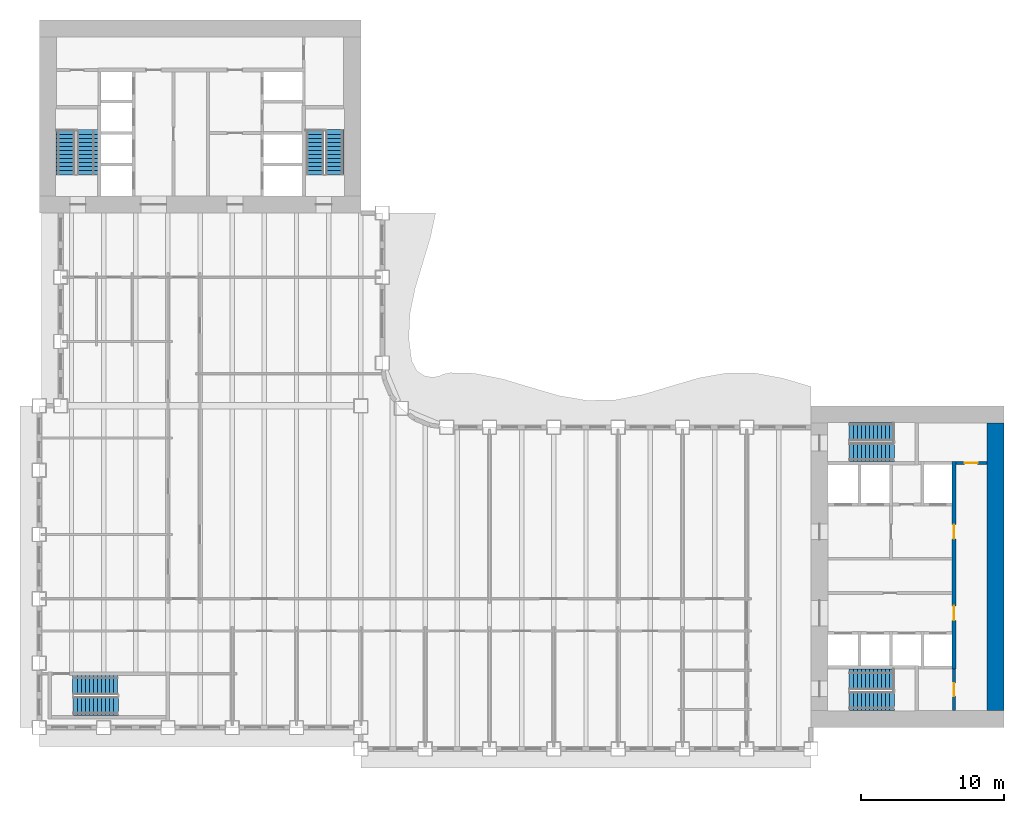
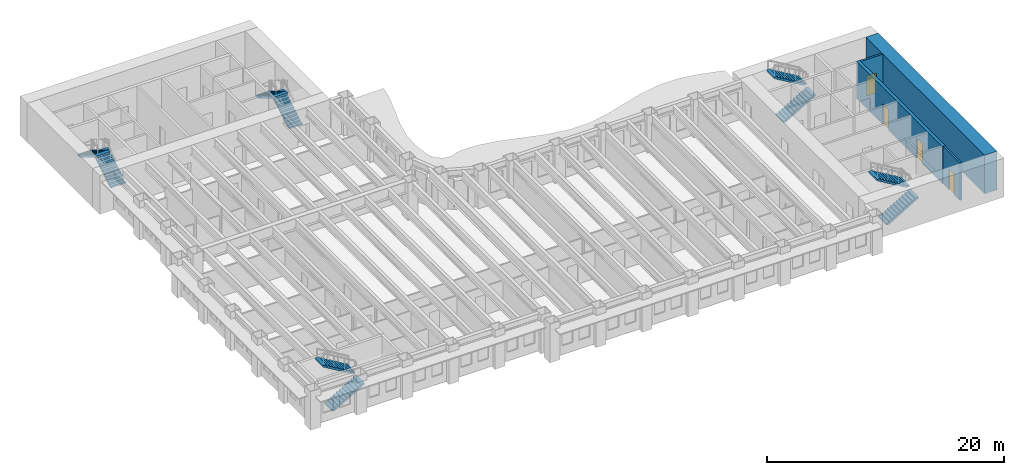
# One storey, part 10 of 16: 10 stair flights, 4 doors, 4 walls, 4 openings, 5 elements without a shape of their own.
"""IFC4 building model written with IfcOpenShell, lengths in metres."""

from ifc_helpers import new_model, si_unit, direction, frame, frame_2d, origin, place, context, subcontext, project, spatial, polyline, rectangle, outline, extrude, material, layer, layer_set, type_object, element, fill, aggregate, save


model = new_model("IFC4")

# Units and contexts
model_context = context("Model", 3, precision=1e-05, world=origin(), true_north=direction((0.0, 1.0)))
body_context = subcontext(model_context, "Body", "Model", "MODEL_VIEW")
ifc_project = project(units=[si_unit("LENGTHUNIT", "METRE"), si_unit("AREAUNIT", "SQUARE_METRE"), si_unit("VOLUMEUNIT", "CUBIC_METRE"), si_unit("PLANEANGLEUNIT", "RADIAN"), si_unit("MASSUNIT", "GRAM", prefix="KILO")], contexts=[model_context])

# Site, building, storey
site_placement = place(None, origin())
site = spatial("IfcSite", under=ifc_project, at=site_placement, CompositionType="ELEMENT")
building_placement = place(site_placement, origin())
building = spatial("IfcBuilding", under=site, at=building_placement, Name="Sennacour Bend Tower", CompositionType="ELEMENT")
storey_placement = place(building_placement, frame((0.0, 0.0, 111.0)))
storey = spatial("IfcBuildingStorey", under=building, at=storey_placement, Name="L25", CompositionType="ELEMENT", Elevation=111.0)

# Wall
ifc_material_1 = material(Name="Concrete C80/95", Category="concrete")
ifc_layer_1 = layer(ifc_material_1, 1.199951171875, Name="Concrete C80/95", Category="concrete")
ifc_layer_set_1 = layer_set([ifc_layer_1], Name="Concrete C80/95")
wall_type_1 = type_object("IfcWallType", Name="Core wall 1200 C80/95", PredefinedType="SHEAR", material=ifc_layer_set_1)
wall_1_placement = place(storey_placement, frame((66.89990234375, 1.199951171875, -0.14990234375), z_axis=(0.0, 0.0, 1.0), x_axis=(0.0, 1.0, 0.0)))
element("IfcWall", 1, at=wall_1_placement, inside=storey, type_object=wall_type_1, Name="Core A wall L25 E", PredefinedType="SHEAR", context=body_context, shape_type="SweptSolid", body=[
    extrude(rectangle(XDim=20.10009765625, YDim=1.199951171875, at=frame_2d((10.050048828125, 0.0))), origin(), (0.0, 0.0, 1.0), 4.0),
])

# Wall, opening, door
ifc_material_2 = material(Name="Fire-rated plasterboard partition on steel studs", Category="steel")
ifc_layer_2 = layer(ifc_material_2, 0.199951171875, Name="Fire-rated plasterboard partition on steel studs", Category="steel")
ifc_layer_set_2 = layer_set([ifc_layer_2], Name="Fire-rated plasterboard partition on steel studs")
wall_type_2 = type_object("IfcWallType", Name="Rated partition 200", PredefinedType="PARTITIONING", material=ifc_layer_set_2)
wall_2_placement = place(storey_placement, frame((64.0, 1.199951171875, 0.0), z_axis=(0.0, 0.0, 1.0), x_axis=(0.0, 1.0, 0.0)))
wall_2 = element("IfcWall", 2, at=wall_2_placement, inside=storey, type_object=wall_type_2, Name="P-L25-W044", PredefinedType="PARTITIONING", context=body_context, shape_type="SweptSolid", body=[
    extrude(rectangle(XDim=2.900146484375, YDim=0.199951171875, at=frame_2d((1.4501953125, 0.0))), origin(), (0.0, 0.0, 1.0), 3.85009765625),
])
opening_1_placement = place(wall_2_placement, frame((1.0, 0.0, 0.0)))
opening_1 = element("IfcOpeningElement", 3, at=opening_1_placement, cuts=wall_2, Name="Opening SV", PredefinedType="OPENING", context=body_context, shape_type="SweptSolid", body=[
    extrude(rectangle(XDim=0.89990234375, YDim=2.10009765625, at=frame_2d((0.449951171875, 1.050048828125))), frame((0.0, 0.10986328125, 0.0), z_axis=(0.0, -1.0, 0.0), x_axis=(1.0, 0.0, 0.0)), (0.0, 0.0, 1.0), 0.219970703125),
])
ifc_material_3 = material(Name="Painted steel", Category="steel")
door_type_1 = type_object("IfcDoorType", Name="DR-SERVICE-900", OperationType="NOTDEFINED", PredefinedType="DOOR", material=ifc_material_3)
door_1_placement = place(opening_1_placement, origin())
door_1 = element("IfcDoor", 4, at=door_1_placement, inside=storey, type_object=door_type_1, Name="Door", OperationType="SINGLE_SWING_LEFT", OverallHeight=2.10009765625, OverallWidth=0.89990234375, PredefinedType="DOOR", context=body_context, shape_type="SweptSolid", body=[
    extrude(rectangle(XDim=0.89990234375, YDim=2.10009765625, at=frame_2d((0.449951171875, 1.050048828125))), frame((0.0, 0.02490234375, 0.0), z_axis=(0.0, -1.0, 0.0), x_axis=(1.0, 0.0, 0.0)), (0.0, 0.0, 1.0), 0.050048828125),
])
fill(opening_1, door_1)

wall_3_placement = place(storey_placement, frame((64.14990234375, 18.5, 0.0), z_axis=(0.0, 0.0, 1.0), x_axis=(1.0, 0.0, 0.0)))
wall_3 = element("IfcWall", 5, at=wall_3_placement, inside=storey, type_object=wall_type_2, Name="P-L25-W067", PredefinedType="PARTITIONING", context=body_context, shape_type="SweptSolid", body=[
    extrude(rectangle(XDim=2.150146484375, YDim=0.199951171875, at=frame_2d((1.0751953125, 0.0))), origin(), (0.0, 0.0, 1.0), 3.85009765625),
])
opening_2_placement = place(wall_3_placement, frame((0.60009765625, 0.0, 0.0)))
opening_2 = element("IfcOpeningElement", 6, at=opening_2_placement, cuts=wall_3, Name="Opening SV", PredefinedType="OPENING", context=body_context, shape_type="SweptSolid", body=[
    extrude(rectangle(XDim=0.89990234375, YDim=2.10009765625, at=frame_2d((0.449951171875, 1.050048828125))), frame((0.0, 0.10986328125, 0.0), z_axis=(0.0, -1.0, 0.0), x_axis=(1.0, 0.0, 0.0)), (0.0, 0.0, 1.0), 0.219970703125),
])
door_2_placement = place(opening_2_placement, origin())
door_2 = element("IfcDoor", 7, at=door_2_placement, inside=storey, type_object=door_type_1, Name="Door", OperationType="SINGLE_SWING_LEFT", OverallHeight=2.10009765625, OverallWidth=0.89990234375, PredefinedType="DOOR", context=body_context, shape_type="SweptSolid", body=[
    extrude(rectangle(XDim=0.89990234375, YDim=2.10009765625, at=frame_2d((0.449951171875, 1.050048828125))), frame((0.0, 0.02490234375, 0.0), z_axis=(0.0, -1.0, 0.0), x_axis=(1.0, 0.0, 0.0)), (0.0, 0.0, 1.0), 0.050048828125),
])
fill(opening_2, door_2)

# Wall, openings, doors
ifc_material_4 = material(Name="Concrete C60/75", Category="concrete")
ifc_layer_3 = layer(ifc_material_4, 0.300048828125, Name="Concrete C60/75", Category="concrete")
ifc_layer_set_3 = layer_set([ifc_layer_3], Name="Concrete C60/75")
wall_type_3 = type_object("IfcWallType", Name="Spine wall 300", PredefinedType="SHEAR", material=ifc_layer_set_3)
wall_4_placement = place(storey_placement, frame((64.0, 4.10009765625, 0.0), z_axis=(0.0, 0.0, 1.0), x_axis=(0.0, 1.0, 0.0)))
wall_4 = element("IfcWall", 8, at=wall_4_placement, inside=storey, type_object=wall_type_3, Name="P-L25-W045", PredefinedType="SHEAR", context=body_context, shape_type="SweptSolid", body=[
    extrude(rectangle(XDim=14.5, YDim=0.300048828125, at=frame_2d((7.25, 0.0))), origin(), (0.0, 0.0, 1.0), 3.85009765625),
])
opening_3_placement = place(wall_4_placement, frame((3.39990234375, 0.0, 0.0)))
opening_3 = element("IfcOpeningElement", 9, at=opening_3_placement, cuts=wall_4, Name="Opening CD2", PredefinedType="OPENING", context=body_context, shape_type="SweptSolid", body=[
    extrude(rectangle(XDim=1.0, YDim=2.10009765625, at=frame_2d((0.5, 1.050048828125))), frame((0.0, 0.16015625, 0.0), z_axis=(0.0, -1.0, 0.0), x_axis=(1.0, 0.0, 0.0)), (0.0, 0.0, 1.0), 0.320068359375),
])
opening_4_placement = place(wall_4_placement, frame((9.099853515625, 0.0, 0.0)))
opening_4 = element("IfcOpeningElement", 10, at=opening_4_placement, cuts=wall_4, Name="Opening CD2", PredefinedType="OPENING", context=body_context, shape_type="SweptSolid", body=[
    extrude(rectangle(XDim=1.0, YDim=2.10009765625, at=frame_2d((0.5, 1.050048828125))), frame((0.0, 0.16015625, 0.0), z_axis=(0.0, -1.0, 0.0), x_axis=(1.0, 0.0, 0.0)), (0.0, 0.0, 1.0), 0.320068359375),
])
door_type_2 = type_object("IfcDoorType", Name="DR-LOBBY-1000", OperationType="NOTDEFINED", PredefinedType="DOOR", material=ifc_material_3)
door_3_placement = place(opening_3_placement, origin())
door_3 = element("IfcDoor", 11, at=door_3_placement, inside=storey, type_object=door_type_2, Name="Door", OperationType="SINGLE_SWING_LEFT", OverallHeight=2.10009765625, OverallWidth=1.0, PredefinedType="DOOR", context=body_context, shape_type="SweptSolid", body=[
    extrude(rectangle(XDim=1.0, YDim=2.10009765625, at=frame_2d((0.5, 1.050048828125))), frame((0.0, 0.02490234375, 0.0), z_axis=(0.0, -1.0, 0.0), x_axis=(1.0, 0.0, 0.0)), (0.0, 0.0, 1.0), 0.050048828125),
])
fill(opening_3, door_3)
door_4_placement = place(opening_4_placement, origin())
door_4 = element("IfcDoor", 12, at=door_4_placement, inside=storey, type_object=door_type_2, Name="Door", OperationType="SINGLE_SWING_RIGHT", OverallHeight=2.10009765625, OverallWidth=1.0, PredefinedType="DOOR", context=body_context, shape_type="SweptSolid", body=[
    extrude(rectangle(XDim=1.0, YDim=2.10009765625, at=frame_2d((0.5, 1.050048828125))), frame((0.0, 0.02490234375, 0.0), z_axis=(0.0, -1.0, 0.0), x_axis=(1.0, 0.0, 0.0)), (0.0, 0.0, 1.0), 0.050048828125),
])
fill(opening_4, door_4)

# Stair, stair flights
ifc_material_5 = material(Name="Concrete C40/50", Category="concrete")
stair_type = type_object("IfcStairType", Name="ST-DOGLEG", PredefinedType="HALF_TURN_STAIR", material=ifc_material_5)
stair_1_placement = place(storey_placement, origin())
stair_1 = element("IfcStair", 13, at=stair_1_placement, inside=storey, type_object=stair_type, Name="L25 Exit stair A1", PredefinedType="HALF_TURN_STAIR")
stair_flight_type = type_object("IfcStairFlightType", Name="SFL-RC", PredefinedType="STRAIGHT", material=ifc_material_5)
stair_flight_1_placement = place(storey_placement, frame((56.699951171875, 1.8349609375, 0.0), z_axis=(0.0, 0.0, 1.0), x_axis=(1.0, 0.0, 0.0)))
stair_flight_1 = element("IfcStairFlight", 14, at=stair_flight_1_placement, type_object=stair_flight_type, Name="SA1 flight 1", NumberOfRisers=12, NumberOfTreads=11, PredefinedType="STRAIGHT", RiserHeight=0.166666667, TreadLength=0.28, context=body_context, shape_type="SweptSolid", body=[
    extrude(outline(polyline([(0.0, 0.0), (0.0, 0.166748046875), (0.280029296875, 0.166748046875), (0.280029296875, 0.333251953125), (0.56005859375, 0.333251953125), (0.56005859375, 0.5), (0.840087890625, 0.5), (0.840087890625, 0.666748046875), (1.1201171875, 0.666748046875), (1.1201171875, 0.833251953125), (1.39990234375, 0.833251953125), (1.39990234375, 1.0), (1.679931640625, 1.0), (1.679931640625, 1.166748046875), (1.9599609375, 1.166748046875), (1.9599609375, 1.333251953125), (2.239990234375, 1.333251953125), (2.239990234375, 1.5), (2.52001953125, 1.5), (2.52001953125, 1.666748046875), (2.800048828125, 1.666748046875), (2.800048828125, 1.833251953125), (3.080078125, 1.833251953125), (3.139892578125, 1.833251953125), (3.139892578125, 1.658935546875), (3.080078125, 1.658935546875), (0.29296875, 0.0), (0.0, 0.0)])), frame((0.0, 0.6650390625, 0.0), z_axis=(0.0, -1.0, 0.0), x_axis=(1.0, 0.0, 0.0)), (0.0, 0.0, 1.0), 1.330078125),
])
stair_flight_2_placement = place(storey_placement, frame((59.780029296875, 3.37744140625, 2.0), z_axis=(0.0, 0.0, 1.0), x_axis=(-1.0, 0.0, 0.0)))
stair_flight_2 = element("IfcStairFlight", 15, at=stair_flight_2_placement, type_object=stair_flight_type, Name="SA1 flight 2", NumberOfRisers=12, NumberOfTreads=11, PredefinedType="STRAIGHT", RiserHeight=0.166666667, TreadLength=0.28, context=body_context, shape_type="SweptSolid", body=[
    extrude(outline(polyline([(0.0, 0.0), (0.0, 0.166748046875), (0.280029296875, 0.166748046875), (0.280029296875, 0.333251953125), (0.56005859375, 0.333251953125), (0.56005859375, 0.5), (0.840087890625, 0.5), (0.840087890625, 0.666748046875), (1.1201171875, 0.666748046875), (1.1201171875, 0.833251953125), (1.39990234375, 0.833251953125), (1.39990234375, 1.0), (1.679931640625, 1.0), (1.679931640625, 1.166748046875), (1.9599609375, 1.166748046875), (1.9599609375, 1.333251953125), (2.239990234375, 1.333251953125), (2.239990234375, 1.5), (2.52001953125, 1.5), (2.52001953125, 1.666748046875), (2.800048828125, 1.666748046875), (2.800048828125, 1.833251953125), (3.080078125, 1.833251953125), (3.139892578125, 1.833251953125), (3.139892578125, 1.658935546875), (3.080078125, 1.658935546875), (0.29296875, 0.0), (0.0, 0.0)])), frame((0.0, 0.7275390625, 0.0), z_axis=(0.0, -1.0, 0.0), x_axis=(1.0, 0.0, 0.0)), (0.0, 0.0, 1.0), 1.455078125),
])
aggregate(stair_1, [stair_flight_1, stair_flight_2])

stair_2_placement = place(storey_placement, origin())
stair_2 = element("IfcStair", 16, at=stair_2_placement, inside=storey, type_object=stair_type, Name="L25 Exit stair A2", PredefinedType="HALF_TURN_STAIR")
stair_flight_3_placement = place(storey_placement, frame((56.699951171875, 19.24755859375, 0.0), z_axis=(0.0, 0.0, 1.0), x_axis=(1.0, 0.0, 0.0)))
stair_flight_3 = element("IfcStairFlight", 17, at=stair_flight_3_placement, type_object=stair_flight_type, Name="SA2 flight 1", NumberOfRisers=12, NumberOfTreads=11, PredefinedType="STRAIGHT", RiserHeight=0.166666667, TreadLength=0.28, context=body_context, shape_type="SweptSolid", body=[
    extrude(outline(polyline([(0.0, 0.0), (0.0, 0.166748046875), (0.280029296875, 0.166748046875), (0.280029296875, 0.333251953125), (0.56005859375, 0.333251953125), (0.56005859375, 0.5), (0.840087890625, 0.5), (0.840087890625, 0.666748046875), (1.1201171875, 0.666748046875), (1.1201171875, 0.833251953125), (1.39990234375, 0.833251953125), (1.39990234375, 1.0), (1.679931640625, 1.0), (1.679931640625, 1.166748046875), (1.9599609375, 1.166748046875), (1.9599609375, 1.333251953125), (2.239990234375, 1.333251953125), (2.239990234375, 1.5), (2.52001953125, 1.5), (2.52001953125, 1.666748046875), (2.800048828125, 1.666748046875), (2.800048828125, 1.833251953125), (3.080078125, 1.833251953125), (3.139892578125, 1.833251953125), (3.139892578125, 1.658935546875), (3.080078125, 1.658935546875), (0.29296875, 0.0), (0.0, 0.0)])), frame((0.0, 0.65234375, 0.0), z_axis=(0.0, -1.0, 0.0), x_axis=(1.0, 0.0, 0.0)), (0.0, 0.0, 1.0), 1.304931640625),
])
stair_flight_4_placement = place(storey_placement, frame((59.780029296875, 20.68994140625, 2.0), z_axis=(0.0, 0.0, 1.0), x_axis=(-1.0, 0.0, 0.0)))
stair_flight_4 = element("IfcStairFlight", 18, at=stair_flight_4_placement, type_object=stair_flight_type, Name="SA2 flight 2", NumberOfRisers=12, NumberOfTreads=11, PredefinedType="STRAIGHT", RiserHeight=0.166666667, TreadLength=0.28, context=body_context, shape_type="SweptSolid", body=[
    extrude(outline(polyline([(0.0, 0.0), (0.0, 0.166748046875), (0.280029296875, 0.166748046875), (0.280029296875, 0.333251953125), (0.56005859375, 0.333251953125), (0.56005859375, 0.5), (0.840087890625, 0.5), (0.840087890625, 0.666748046875), (1.1201171875, 0.666748046875), (1.1201171875, 0.833251953125), (1.39990234375, 0.833251953125), (1.39990234375, 1.0), (1.679931640625, 1.0), (1.679931640625, 1.166748046875), (1.9599609375, 1.166748046875), (1.9599609375, 1.333251953125), (2.239990234375, 1.333251953125), (2.239990234375, 1.5), (2.52001953125, 1.5), (2.52001953125, 1.666748046875), (2.800048828125, 1.666748046875), (2.800048828125, 1.833251953125), (3.080078125, 1.833251953125), (3.139892578125, 1.833251953125), (3.139892578125, 1.658935546875), (3.080078125, 1.658935546875), (0.29296875, 0.0), (0.0, 0.0)])), frame((0.0, 0.64013671875, 0.0), z_axis=(0.0, -1.0, 0.0), x_axis=(1.0, 0.0, 0.0)), (0.0, 0.0, 1.0), 1.280029296875),
])
aggregate(stair_2, [stair_flight_3, stair_flight_4])

stair_3_placement = place(storey_placement, origin())
stair_3 = element("IfcStair", 19, at=stair_3_placement, inside=storey, type_object=stair_type, Name="L25 Exit stair B1", PredefinedType="HALF_TURN_STAIR")
stair_flight_5_placement = place(storey_placement, frame((3.37744140625, 38.699951171875, 0.0), z_axis=(0.0, 0.0, 1.0), x_axis=(0.0, 1.0, 0.0)))
stair_flight_5 = element("IfcStairFlight", 20, at=stair_flight_5_placement, type_object=stair_flight_type, Name="SB1 flight 1", NumberOfRisers=12, NumberOfTreads=11, PredefinedType="STRAIGHT", RiserHeight=0.166666667, TreadLength=0.28, context=body_context, shape_type="SweptSolid", body=[
    extrude(outline(polyline([(0.0, 0.0), (0.0, 0.166748046875), (0.280029296875, 0.166748046875), (0.280029296875, 0.333251953125), (0.56005859375, 0.333251953125), (0.56005859375, 0.5), (0.840087890625, 0.5), (0.840087890625, 0.666748046875), (1.1201171875, 0.666748046875), (1.1201171875, 0.833251953125), (1.39990234375, 0.833251953125), (1.39990234375, 1.0), (1.679931640625, 1.0), (1.679931640625, 1.166748046875), (1.9599609375, 1.166748046875), (1.9599609375, 1.333251953125), (2.239990234375, 1.333251953125), (2.239990234375, 1.5), (2.52001953125, 1.5), (2.52001953125, 1.666748046875), (2.800048828125, 1.666748046875), (2.800048828125, 1.833251953125), (3.080078125, 1.833251953125), (3.139892578125, 1.833251953125), (3.139892578125, 1.658935546875), (3.080078125, 1.658935546875), (0.29296875, 0.0), (0.0, 0.0)])), frame((0.0, 0.7275390625, 0.0), z_axis=(0.0, -1.0, 0.0), x_axis=(1.0, 0.0, 0.0)), (0.0, 0.0, 1.0), 1.455078125),
])
stair_flight_6_placement = place(storey_placement, frame((1.8349609375, 41.780029296875, 2.0), z_axis=(0.0, 0.0, 1.0), x_axis=(0.0, -1.0, 0.0)))
stair_flight_6 = element("IfcStairFlight", 21, at=stair_flight_6_placement, type_object=stair_flight_type, Name="SB1 flight 2", NumberOfRisers=12, NumberOfTreads=11, PredefinedType="STRAIGHT", RiserHeight=0.166666667, TreadLength=0.28, context=body_context, shape_type="SweptSolid", body=[
    extrude(outline(polyline([(0.0, 0.0), (0.0, 0.166748046875), (0.280029296875, 0.166748046875), (0.280029296875, 0.333251953125), (0.56005859375, 0.333251953125), (0.56005859375, 0.5), (0.840087890625, 0.5), (0.840087890625, 0.666748046875), (1.1201171875, 0.666748046875), (1.1201171875, 0.833251953125), (1.39990234375, 0.833251953125), (1.39990234375, 1.0), (1.679931640625, 1.0), (1.679931640625, 1.166748046875), (1.9599609375, 1.166748046875), (1.9599609375, 1.333251953125), (2.239990234375, 1.333251953125), (2.239990234375, 1.5), (2.52001953125, 1.5), (2.52001953125, 1.666748046875), (2.800048828125, 1.666748046875), (2.800048828125, 1.833251953125), (3.080078125, 1.833251953125), (3.139892578125, 1.833251953125), (3.139892578125, 1.658935546875), (3.080078125, 1.658935546875), (0.29296875, 0.0), (0.0, 0.0)])), frame((0.0, 0.6650390625, 0.0), z_axis=(0.0, -1.0, 0.0), x_axis=(1.0, 0.0, 0.0)), (0.0, 0.0, 1.0), 1.330078125),
])
aggregate(stair_3, [stair_flight_5, stair_flight_6])

stair_4_placement = place(storey_placement, origin())
stair_4 = element("IfcStair", 22, at=stair_4_placement, inside=storey, type_object=stair_type, Name="L25 Exit stair B2", PredefinedType="HALF_TURN_STAIR")
stair_flight_7_placement = place(storey_placement, frame((20.68994140625, 38.699951171875, 0.0), z_axis=(0.0, 0.0, 1.0), x_axis=(0.0, 1.0, 0.0)))
stair_flight_7 = element("IfcStairFlight", 23, at=stair_flight_7_placement, type_object=stair_flight_type, Name="SB2 flight 1", NumberOfRisers=12, NumberOfTreads=11, PredefinedType="STRAIGHT", RiserHeight=0.166666667, TreadLength=0.28, context=body_context, shape_type="SweptSolid", body=[
    extrude(outline(polyline([(0.0, 0.0), (0.0, 0.166748046875), (0.280029296875, 0.166748046875), (0.280029296875, 0.333251953125), (0.56005859375, 0.333251953125), (0.56005859375, 0.5), (0.840087890625, 0.5), (0.840087890625, 0.666748046875), (1.1201171875, 0.666748046875), (1.1201171875, 0.833251953125), (1.39990234375, 0.833251953125), (1.39990234375, 1.0), (1.679931640625, 1.0), (1.679931640625, 1.166748046875), (1.9599609375, 1.166748046875), (1.9599609375, 1.333251953125), (2.239990234375, 1.333251953125), (2.239990234375, 1.5), (2.52001953125, 1.5), (2.52001953125, 1.666748046875), (2.800048828125, 1.666748046875), (2.800048828125, 1.833251953125), (3.080078125, 1.833251953125), (3.139892578125, 1.833251953125), (3.139892578125, 1.658935546875), (3.080078125, 1.658935546875), (0.29296875, 0.0), (0.0, 0.0)])), frame((0.0, 0.64013671875, 0.0), z_axis=(0.0, -1.0, 0.0), x_axis=(1.0, 0.0, 0.0)), (0.0, 0.0, 1.0), 1.280029296875),
])
stair_flight_8_placement = place(storey_placement, frame((19.24755859375, 41.780029296875, 2.0), z_axis=(0.0, 0.0, 1.0), x_axis=(0.0, -1.0, 0.0)))
stair_flight_8 = element("IfcStairFlight", 24, at=stair_flight_8_placement, type_object=stair_flight_type, Name="SB2 flight 2", NumberOfRisers=12, NumberOfTreads=11, PredefinedType="STRAIGHT", RiserHeight=0.166666667, TreadLength=0.28, context=body_context, shape_type="SweptSolid", body=[
    extrude(outline(polyline([(0.0, 0.0), (0.0, 0.166748046875), (0.280029296875, 0.166748046875), (0.280029296875, 0.333251953125), (0.56005859375, 0.333251953125), (0.56005859375, 0.5), (0.840087890625, 0.5), (0.840087890625, 0.666748046875), (1.1201171875, 0.666748046875), (1.1201171875, 0.833251953125), (1.39990234375, 0.833251953125), (1.39990234375, 1.0), (1.679931640625, 1.0), (1.679931640625, 1.166748046875), (1.9599609375, 1.166748046875), (1.9599609375, 1.333251953125), (2.239990234375, 1.333251953125), (2.239990234375, 1.5), (2.52001953125, 1.5), (2.52001953125, 1.666748046875), (2.800048828125, 1.666748046875), (2.800048828125, 1.833251953125), (3.080078125, 1.833251953125), (3.139892578125, 1.833251953125), (3.139892578125, 1.658935546875), (3.080078125, 1.658935546875), (0.29296875, 0.0), (0.0, 0.0)])), frame((0.0, 0.65234375, 0.0), z_axis=(0.0, -1.0, 0.0), x_axis=(1.0, 0.0, 0.0)), (0.0, 0.0, 1.0), 1.304931640625),
])
aggregate(stair_4, [stair_flight_7, stair_flight_8])

stair_5_placement = place(storey_placement, origin())
stair_5 = element("IfcStair", 25, at=stair_5_placement, inside=storey, type_object=stair_type, Name="L25 Exit stair K1", PredefinedType="HALF_TURN_STAIR")
stair_flight_9_placement = place(storey_placement, frame((2.39990234375, 1.485107421875, 0.0), z_axis=(0.0, 0.0, 1.0), x_axis=(1.0, 0.0, 0.0)))
stair_flight_9 = element("IfcStairFlight", 26, at=stair_flight_9_placement, type_object=stair_flight_type, Name="SK1 flight 1", NumberOfRisers=12, NumberOfTreads=11, PredefinedType="STRAIGHT", RiserHeight=0.166666667, TreadLength=0.28, context=body_context, shape_type="SweptSolid", body=[
    extrude(outline(polyline([(0.0, 0.0), (0.0, 0.166748046875), (0.280029296875, 0.166748046875), (0.280029296875, 0.333251953125), (0.56005859375, 0.333251953125), (0.56005859375, 0.5), (0.840087890625, 0.5), (0.840087890625, 0.666748046875), (1.1201171875, 0.666748046875), (1.1201171875, 0.833251953125), (1.39990234375, 0.833251953125), (1.39990234375, 1.0), (1.679931640625, 1.0), (1.679931640625, 1.166748046875), (1.9599609375, 1.166748046875), (1.9599609375, 1.333251953125), (2.239990234375, 1.333251953125), (2.239990234375, 1.5), (2.52001953125, 1.5), (2.52001953125, 1.666748046875), (2.800048828125, 1.666748046875), (2.800048828125, 1.833251953125), (3.080078125, 1.833251953125), (3.139892578125, 1.833251953125), (3.139892578125, 1.658935546875), (3.080078125, 1.658935546875), (0.29296875, 0.0), (0.0, 0.0)])), frame((0.0, 0.6650390625, 0.0), z_axis=(0.0, -1.0, 0.0), x_axis=(1.0, 0.0, 0.0)), (0.0, 0.0, 1.0), 1.330078125),
])
stair_flight_10_placement = place(storey_placement, frame((5.47998046875, 2.9775390625, 2.0), z_axis=(0.0, 0.0, 1.0), x_axis=(-1.0, 0.0, 0.0)))
stair_flight_10 = element("IfcStairFlight", 27, at=stair_flight_10_placement, type_object=stair_flight_type, Name="SK1 flight 2", NumberOfRisers=12, NumberOfTreads=11, PredefinedType="STRAIGHT", RiserHeight=0.166666667, TreadLength=0.28, context=body_context, shape_type="SweptSolid", body=[
    extrude(outline(polyline([(0.0, 0.0), (0.0, 0.166748046875), (0.280029296875, 0.166748046875), (0.280029296875, 0.333251953125), (0.56005859375, 0.333251953125), (0.56005859375, 0.5), (0.840087890625, 0.5), (0.840087890625, 0.666748046875), (1.1201171875, 0.666748046875), (1.1201171875, 0.833251953125), (1.39990234375, 0.833251953125), (1.39990234375, 1.0), (1.679931640625, 1.0), (1.679931640625, 1.166748046875), (1.9599609375, 1.166748046875), (1.9599609375, 1.333251953125), (2.239990234375, 1.333251953125), (2.239990234375, 1.5), (2.52001953125, 1.5), (2.52001953125, 1.666748046875), (2.800048828125, 1.666748046875), (2.800048828125, 1.833251953125), (3.080078125, 1.833251953125), (3.139892578125, 1.833251953125), (3.139892578125, 1.658935546875), (3.080078125, 1.658935546875), (0.29296875, 0.0), (0.0, 0.0)])), frame((0.0, 0.677490234375, 0.0), z_axis=(0.0, -1.0, 0.0), x_axis=(1.0, 0.0, 0.0)), (0.0, 0.0, 1.0), 1.35498046875),
])
aggregate(stair_5, [stair_flight_9, stair_flight_10])

save(model, "model.ifc")
